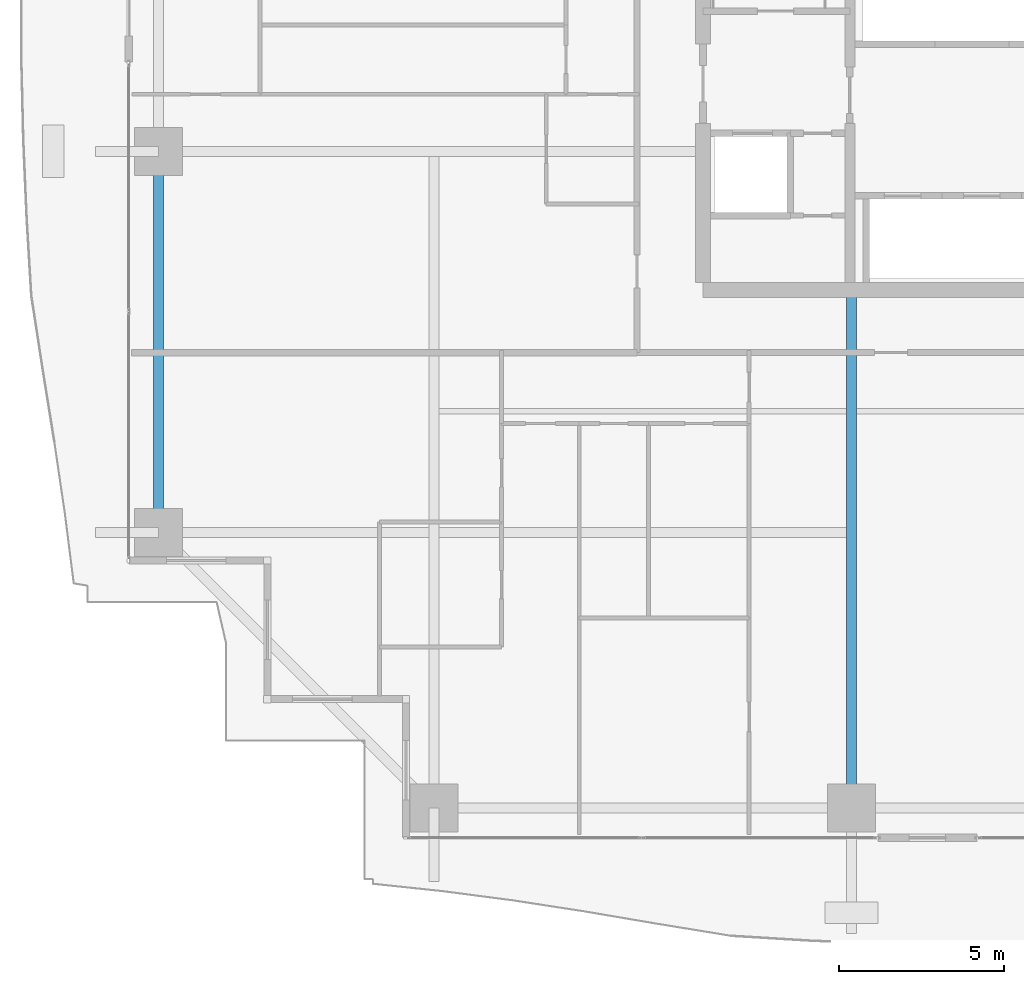
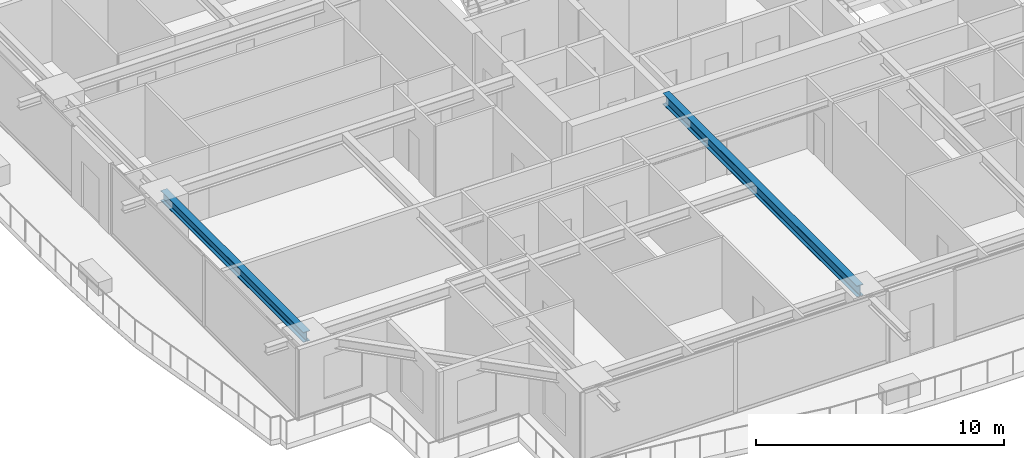
# One storey, part 6 of 41: 2 beams.
"""IFC4 building model written with IfcOpenShell, lengths in metres."""

from ifc_helpers import new_model, si_unit, direction, frame, origin, origin_2d, place, context, subcontext, project, spatial, i_section, extrude, source, transform, mapped, material, material_profile, profile_set, type_object, element, save


model = new_model("IFC4")

# Units and contexts
model_context = context("Model", 3, precision=1e-05, world=origin(), true_north=direction((0.0, 1.0)))
body_context = subcontext(model_context, "Body", "Model", "MODEL_VIEW")
ifc_project = project(units=[si_unit("LENGTHUNIT", "METRE"), si_unit("AREAUNIT", "SQUARE_METRE"), si_unit("VOLUMEUNIT", "CUBIC_METRE"), si_unit("PLANEANGLEUNIT", "RADIAN"), si_unit("MASSUNIT", "GRAM", prefix="KILO")], contexts=[model_context])

# Site, building, storey
site_placement = place(None, origin())
site = spatial("IfcSite", under=ifc_project, at=site_placement, CompositionType="ELEMENT")
building_placement = place(site_placement, origin())
building = spatial("IfcBuilding", under=site, at=building_placement, Name="Serunith Strait Residences", CompositionType="ELEMENT")
storey_placement = place(building_placement, frame((0.0, 0.0, 75.449951171875)))
storey = spatial("IfcBuildingStorey", under=building, at=storey_placement, Name="L18", CompositionType="ELEMENT", Elevation=75.449951171875)

# Beams
ifc_material = material(Name="Steel S355J2", Category="steel")
ifc_material_profile_1 = material_profile(ifc_material, i_section(OverallWidth=0.300048828125, OverallDepth=0.550048828125, WebThickness=0.014892578125, FlangeThickness=0.029052734375, FilletRadius=0.027099609375, at=origin_2d()), Name="HEB 550")
ifc_profile_set_1 = profile_set([ifc_material_profile_1], Name="Steel S355J2")
beam_type_1 = type_object("IfcBeamType", Name="BM-HEB550", PredefinedType="BEAM", material=ifc_profile_set_1)
shared_shape_1 = source(origin(), body_context, "Body", "SweptSolid", [
    extrude(i_section(OverallWidth=0.300048828125, OverallDepth=0.550048828125, WebThickness=0.014892578125, FlangeThickness=0.029052734375, FilletRadius=0.027099609375, at=origin_2d()), origin(), (0.0, 0.0, 1.0), 15.699951171875),
])
beam_1_placement = place(storey_placement, frame((27.89990234375, 16.800048828125, 3.212158203125), z_axis=(0.0, -1.0, 0.0), x_axis=(1.0, 0.0, 0.0)))
element("IfcBeam", 1, at=beam_1_placement, inside=storey, type_object=beam_type_1, Name="L18 Primary Floor Girder TC-S2", PredefinedType="BEAM", context=body_context, shape_type="MappedRepresentation", body=[
    mapped(shared_shape_1, transform((0.0, 0.0, 0.0), scale=1.0)),
])
ifc_material_profile_2 = material_profile(ifc_material, i_section(OverallWidth=0.300048828125, OverallDepth=0.5, WebThickness=0.014404296875, FlangeThickness=0.028076171875, FilletRadius=0.027099609375, at=origin_2d()), Name="HEB 500")
ifc_profile_set_2 = profile_set([ifc_material_profile_2], Name="Steel S355J2")
beam_type_2 = type_object("IfcBeamType", Name="BM-HEB500", PredefinedType="BEAM", material=ifc_profile_set_2)
shared_shape_2 = source(origin(), body_context, "Body", "SweptSolid", [
    extrude(i_section(OverallWidth=0.300048828125, OverallDepth=0.5, WebThickness=0.014404296875, FlangeThickness=0.028076171875, FilletRadius=0.027099609375, at=origin_2d()), origin(), (0.0, 0.0, 1.0), 11.550048828125),
])
beam_2_placement = place(storey_placement, frame((6.89990234375, 21.0, 3.237060546875), z_axis=(0.0, -1.0, 0.0), x_axis=(1.0, 0.0, 0.0)))
element("IfcBeam", 2, at=beam_2_placement, inside=storey, type_object=beam_type_2, Name="L18 Perimeter Ring Beam 15", PredefinedType="BEAM", context=body_context, shape_type="MappedRepresentation", body=[
    mapped(shared_shape_2, transform((0.0, 0.0, 0.0), scale=1.0)),
])

save(model, "model.ifc")
